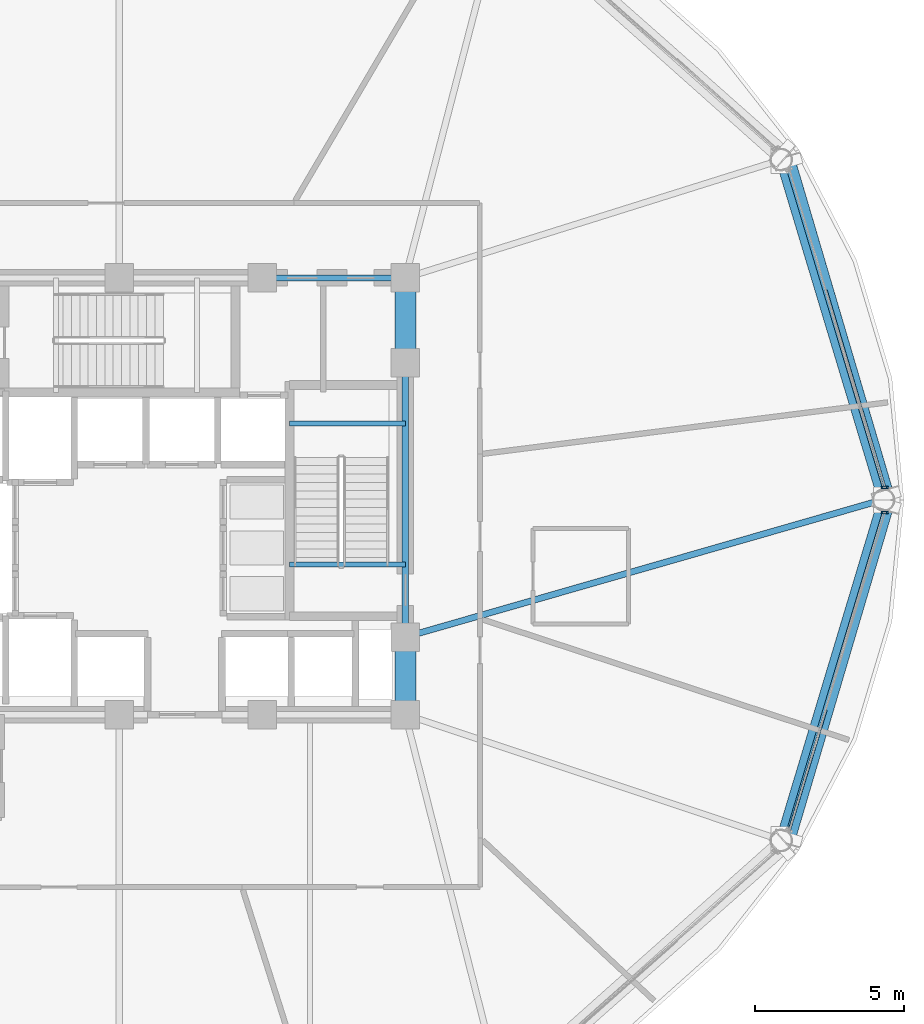
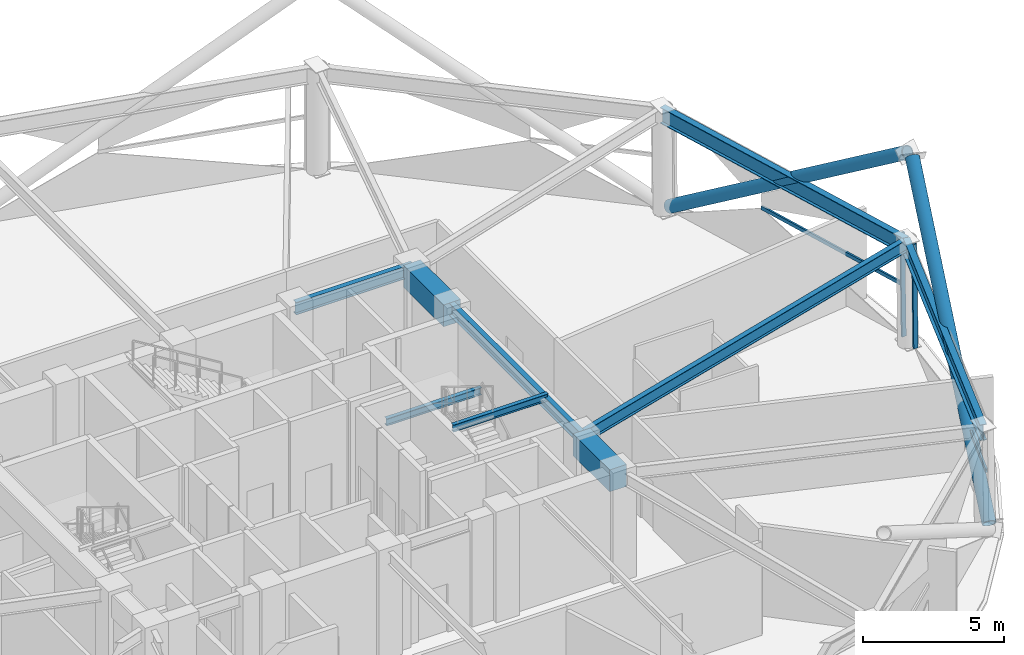
# One storey, part 5 of 17: 9 beams, 6 members, 2 elements without a shape of their own.
"""IFC4 building model written with IfcOpenShell, lengths in metres."""

from ifc_helpers import new_model, si_unit, direction, frame, origin, origin_2d, place, context, subcontext, project, spatial, rectangle, hollow_rectangle, hollow_circle, i_section, extrude, material, layer, layer_set, material_profile, profile_set, type_object, element, aggregate, save


model = new_model("IFC4")

# Units and contexts
model_context = context("Model", 3, precision=1e-05, world=origin(), true_north=direction((0.0, 1.0)))
body_context = subcontext(model_context, "Body", "Model", "MODEL_VIEW")
ifc_project = project(units=[si_unit("LENGTHUNIT", "METRE"), si_unit("AREAUNIT", "SQUARE_METRE"), si_unit("VOLUMEUNIT", "CUBIC_METRE"), si_unit("PLANEANGLEUNIT", "RADIAN"), si_unit("MASSUNIT", "GRAM", prefix="KILO")], contexts=[model_context])

# Site, building, storey
site_placement = place(None, origin())
site = spatial("IfcSite", under=ifc_project, at=site_placement, CompositionType="ELEMENT")
building_placement = place(site_placement, origin())
building = spatial("IfcBuilding", under=site, at=building_placement, Name="Vantalir Tower", CompositionType="ELEMENT")
storey_placement = place(building_placement, frame((0.0, 0.0, 96.14990234375)))
storey = spatial("IfcBuildingStorey", under=building, at=storey_placement, Name="L23", CompositionType="ELEMENT", Elevation=96.14990234375)

# Beams
ifc_material_1 = material(Name="Concrete C60/75", Category="concrete")
ifc_material_profile_1 = material_profile(ifc_material_1, rectangle(XDim=0.699951171875, YDim=0.949951171875, at=origin_2d()), Name="Concrete C60/75")
ifc_profile_set_1 = profile_set([ifc_material_profile_1], Name="Concrete C60/75")
beam_type_1 = type_object("IfcBeamType", Name="BM-CB-700x950", PredefinedType="USERDEFINED", material=ifc_profile_set_1)
beam_1_placement = place(storey_placement, frame((41.10009765625, 17.800048828125, 4.14501953125), z_axis=(0.0, 1.0, 0.0), x_axis=(-1.0, 0.0, 0.0)))
element("IfcBeam", 1, at=beam_1_placement, inside=storey, type_object=beam_type_1, Name="L23 Core Coupling Girder 05", ObjectType="GIRDER", PredefinedType="USERDEFINED", context=body_context, shape_type="SweptSolid", body=[
    extrude(rectangle(XDim=0.699951171875, YDim=0.949951171875, at=origin_2d()), origin(), (0.0, 0.0, 1.0), 2.599853515625),
])
beam_2_placement = place(storey_placement, frame((41.10009765625, 29.60009765625, 4.14501953125), z_axis=(0.0, 1.0, 0.0), x_axis=(-1.0, 0.0, 0.0)))
element("IfcBeam", 2, at=beam_2_placement, inside=storey, type_object=beam_type_1, Name="L23 Core Coupling Girder 07", ObjectType="GIRDER", PredefinedType="USERDEFINED", context=body_context, shape_type="SweptSolid", body=[
    extrude(rectangle(XDim=0.699951171875, YDim=0.949951171875, at=origin_2d()), origin(), (0.0, 0.0, 1.0), 2.849853515625),
])
ifc_material_2 = material(Name="Steel S355", Category="steel")
ifc_material_profile_2 = material_profile(ifc_material_2, i_section(OverallWidth=0.166015625, OverallDepth=0.306884765625, WebThickness=0.006591796875, FlangeThickness=0.01171875, at=origin_2d()), Name="Steel S355")
ifc_profile_set_2 = profile_set([ifc_material_profile_2], Name="Steel S355")
beam_type_2 = type_object("IfcBeamType", Name="BM-JS-305x165", PredefinedType="JOIST", material=ifc_profile_set_2)
for number, where, z_axis, x_axis, name in (
    (3, (37.2099609375, 22.8349609375, 4.647216796875), (1.0, 0.0, 0.0), (0.0, 1.0, 0.0), "L24 Stair ST2 Well Nosing Trimmer Beam"),
    (4, (37.2099609375, 27.56494140625, 2.046142578125), (1.0, 0.0, 0.0), (0.0, 1.0, 0.0), "L23 Stair ST2 Half-Landing Support Beam"),
):
    element("IfcBeam", number, at=place(storey_placement, frame(where, z_axis=z_axis, x_axis=x_axis)), inside=storey, type_object=beam_type_2, Name=name, PredefinedType="JOIST", context=body_context, shape_type="SweptSolid", body=[
        extrude(i_section(OverallWidth=0.166015625, OverallDepth=0.306884765625, WebThickness=0.006591796875, FlangeThickness=0.01171875, at=origin_2d()), origin(), (0.0, 0.0, 1.0), 3.89013671875),
    ])
ifc_material_profile_3 = material_profile(ifc_material_2, i_section(OverallWidth=0.2109375, OverallDepth=0.5390625, WebThickness=0.01171875, FlangeThickness=0.018798828125, at=origin_2d()), Name="Steel S355")
ifc_profile_set_3 = profile_set([ifc_material_profile_3], Name="Steel S355")
beam_type_3 = type_object("IfcBeamType", Name="BM-RB-533x210", PredefinedType="BEAM", material=ifc_profile_set_3)
beam_3_placement = place(storey_placement, frame((41.10009765625, 20.39990234375, 4.35009765625), z_axis=(0.0, 1.0, 0.0), x_axis=(-1.0, 0.0, 0.0)))
element("IfcBeam", 5, at=beam_3_placement, inside=storey, type_object=beam_type_3, Name="L23 Core Coupling Girder 06", PredefinedType="BEAM", context=body_context, shape_type="SweptSolid", body=[
    extrude(i_section(OverallWidth=0.2109375, OverallDepth=0.5390625, WebThickness=0.01171875, FlangeThickness=0.018798828125, at=origin_2d()), origin(), (0.0, 0.0, 1.0), 9.2001953125),
])
beam_4_placement = place(storey_placement, frame((41.10009765625, 32.449951171875, 4.35009765625), z_axis=(-1.0, 0.0, 0.0), x_axis=(0.0, -1.0, 0.0)))
element("IfcBeam", 6, at=beam_4_placement, inside=storey, type_object=beam_type_3, Name="L23 Core Coupling Girder 08", PredefinedType="BEAM", context=body_context, shape_type="SweptSolid", body=[
    extrude(i_section(OverallWidth=0.2109375, OverallDepth=0.5390625, WebThickness=0.01171875, FlangeThickness=0.018798828125, at=origin_2d()), origin(), (0.0, 0.0, 1.0), 4.800048828125),
])
beam_5_placement = place(storey_placement, frame((57.087890625, 25.0, 4.35009765625), z_axis=(-0.961011705277, -0.276507689442, 0.0), x_axis=(0.276507689442, -0.961011705277, 0.0)))
element("IfcBeam", 7, at=beam_5_placement, inside=storey, type_object=beam_type_3, Name="L23 Radial Floor Beam 01", PredefinedType="BEAM", context=body_context, shape_type="SweptSolid", body=[
    extrude(i_section(OverallWidth=0.2109375, OverallDepth=0.5390625, WebThickness=0.01171875, FlangeThickness=0.018798828125, at=origin_2d()), origin(), (0.0, 0.0, 1.0), 16.636474609375),
])
ifc_material_3 = material(Name="Steel S460", Category="steel")
ifc_material_profile_4 = material_profile(ifc_material_3, i_section(OverallWidth=0.256103515625, OverallDepth=0.693115234375, WebThickness=0.014404296875, FlangeThickness=0.023681640625, at=origin_2d()), Name="Steel S460")
ifc_profile_set_4 = profile_set([ifc_material_profile_4], Name="Steel S460")
beam_type_4 = type_object("IfcBeamType", Name="BM-RG-686x254", PredefinedType="USERDEFINED", material=ifc_profile_set_4)
for number, where, z_axis, x_axis, name in (
    (8, (57.087890625, 25.0, 4.273193359375), (-0.288100770592, 0.95760009711, 0.0), (-0.95760009711, -0.288100770592, 0.0), "L23 Circumferential Ring Girder 01"),
    (9, (53.659912109375, 13.60595703125, 4.273193359375), (0.288100770592, 0.95760009711, 0.0), (-0.95760009711, 0.288100770592, 0.0), "L23 Circumferential Ring Girder 12"),
):
    element("IfcBeam", number, at=place(storey_placement, frame(where, z_axis=z_axis, x_axis=x_axis)), inside=storey, type_object=beam_type_4, Name=name, ObjectType="GIRDER", PredefinedType="USERDEFINED", context=body_context, shape_type="SweptSolid", body=[
        extrude(i_section(OverallWidth=0.256103515625, OverallDepth=0.693115234375, WebThickness=0.014404296875, FlangeThickness=0.023681640625, at=origin_2d()), origin(), (0.0, 0.0, 1.0), 11.8984375),
    ])

# Curtain wall, member
ifc_material_4 = material(Name="Champagne-silver PVDF aluminium and double-silver Low-E glass", Category="aluminium")
ifc_layer = layer(ifc_material_4, 0.22998046875)
ifc_layer_set = layer_set([ifc_layer], Name="Champagne-silver PVDF aluminium and double-silver Low-E glass")
curtain_wall_type = type_object("IfcCurtainWallType", Name="CW-SKYLOBBY", PredefinedType="USERDEFINED", material=ifc_layer_set)
curtain_wall_1_placement = place(storey_placement, origin())
curtain_wall_1 = element("IfcCurtainWall", 10, at=curtain_wall_1_placement, inside=storey, type_object=curtain_wall_type, Name="L23 Quilted Pyramid-Diamond Curtain Wall S01", ObjectType="UNITISED CURTAIN WALL", PredefinedType="USERDEFINED")
ifc_material_5 = material(Name="Champagne-silver PVDF aluminium 6063-T6", Category="aluminium")
ifc_material_profile_5 = material_profile(ifc_material_5, hollow_rectangle(XDim=0.074951171875, YDim=0.179931640625, WallThickness=0.00390625, at=origin_2d()), Name="Champagne-silver PVDF aluminium 6063-T6")
ifc_profile_set_5 = profile_set([ifc_material_profile_5], Name="Champagne-silver PVDF aluminium 6063-T6")
member_type_1 = type_object("IfcMemberType", Name="CWM-180x75", PredefinedType="MULLION", material=ifc_profile_set_5)
member_1_placement = place(storey_placement, frame((57.212890625, 25.4208984375, 0.045166015625), z_axis=(-0.013687750195, 0.0, 0.999906318359), x_axis=(0.0, -1.0, 0.0)))
member_1 = element("IfcMember", 11, at=member_1_placement, type_object=member_type_1, Name="CW-L23-S01 Mullion 1", PredefinedType="MULLION", context=body_context, shape_type="SweptSolid", body=[
    extrude(hollow_rectangle(XDim=0.074951171875, YDim=0.179931640625, WallThickness=0.00390625, at=origin_2d()), origin(), (0.0, 0.0, 1.0), 4.530517578125),
])

curtain_wall_2_placement = place(storey_placement, origin())
curtain_wall_2 = element("IfcCurtainWall", 12, at=curtain_wall_2_placement, inside=storey, type_object=curtain_wall_type, Name="L23 Quilted Pyramid-Diamond Curtain Wall S12", ObjectType="UNITISED CURTAIN WALL", PredefinedType="USERDEFINED")
member_2_placement = place(storey_placement, frame((57.212890625, 24.5791015625, 0.045166015625), z_axis=(-0.013687750195, 0.0, 0.999906318359), x_axis=(0.0, -1.0, 0.0)))
member_2 = element("IfcMember", 13, at=member_2_placement, type_object=member_type_1, Name="CW-L23-S12 Mullion 2", PredefinedType="MULLION", context=body_context, shape_type="SweptSolid", body=[
    extrude(hollow_rectangle(XDim=0.074951171875, YDim=0.179931640625, WallThickness=0.00390625, at=origin_2d()), origin(), (0.0, 0.0, 1.0), 4.530517578125),
])

# Member
ifc_material_profile_6 = material_profile(ifc_material_5, hollow_rectangle(XDim=0.074951171875, YDim=0.159912109375, WallThickness=0.00390625, at=origin_2d()), Name="Champagne-silver PVDF aluminium 6063-T6")
ifc_profile_set_6 = profile_set([ifc_material_profile_6], Name="Champagne-silver PVDF aluminium 6063-T6")
member_type_2 = type_object("IfcMemberType", Name="CWT-160x75", PredefinedType="USERDEFINED", material=ifc_profile_set_6)
member_3_placement = place(storey_placement, frame((57.181884765625, 25.4208984375, 2.31005859375), z_axis=(-0.284555619217, 0.958659532666, 0.0), x_axis=(-0.958659532666, -0.284555619217, 0.0)))
member_3 = element("IfcMember", 14, at=member_3_placement, type_object=member_type_2, Name="CW-L23-S01 Pyramid Fold Ridge Transom", ObjectType="TRANSOM", PredefinedType="USERDEFINED", context=body_context, shape_type="SweptSolid", body=[
    extrude(hollow_rectangle(XDim=0.074951171875, YDim=0.159912109375, WallThickness=0.00390625, at=origin_2d()), origin(), (0.0, 0.0, 1.0), 6.901611328125),
])

aggregate(curtain_wall_1, [member_1, member_3])

member_4_placement = place(storey_placement, frame((53.97802734375, 13.91796875, 2.31005859375), z_axis=(0.29315689543, 0.956064346507, 0.0), x_axis=(-0.956064346507, 0.29315689543, 0.0)))
member_4 = element("IfcMember", 15, at=member_4_placement, type_object=member_type_2, Name="CW-L23-S12 Pyramid Fold Ridge Transom", ObjectType="TRANSOM", PredefinedType="USERDEFINED", context=body_context, shape_type="SweptSolid", body=[
    extrude(hollow_rectangle(XDim=0.074951171875, YDim=0.159912109375, WallThickness=0.00390625, at=origin_2d()), origin(), (0.0, 0.0, 1.0), 4.229736328125),
])

aggregate(curtain_wall_2, [member_2, member_4])

# Members
ifc_material_profile_7 = material_profile(ifc_material_3, hollow_circle(Radius=0.260009765625, WallThickness=0.0380859375, at=origin_2d()), Name="Steel S460")
ifc_profile_set_7 = profile_set([ifc_material_profile_7], Name="Steel S460")
member_type_3 = type_object("IfcMemberType", Name="MEM-DB-520x38", PredefinedType="BRACE", material=ifc_profile_set_7)
member_5_placement = place(storey_placement, frame((53.928955078125, 36.342041015625, 0.2041015625), z_axis=(0.233799896099, -0.791690165605, 0.564414998267), x_axis=(0.959053436683, 0.283225185295, 0.0)))
element("IfcMember", 16, at=member_5_placement, inside=storey, type_object=member_type_3, Name="L23 Perimeter S460 Diagrid Brace R04R", PredefinedType="BRACE", context=body_context, shape_type="SweptSolid", body=[
    extrude(hollow_circle(Radius=0.260009765625, WallThickness=0.0380859375, at=origin_2d()), origin(), (0.0, 0.0, 1.0), 14.1064453125),
])
member_6_placement = place(storey_placement, frame((53.928955078125, 13.656982421875, 0.2041015625), z_axis=(0.233787082712, 0.791716001177, 0.564384065541), x_axis=(-0.959060163042, 0.283202407592, 0.0)))
element("IfcMember", 17, at=member_6_placement, inside=storey, type_object=member_type_3, Name="L23 Perimeter S460 Diagrid Brace R34L", PredefinedType="BRACE", context=body_context, shape_type="SweptSolid", body=[
    extrude(hollow_circle(Radius=0.260009765625, WallThickness=0.0380859375, at=origin_2d()), origin(), (0.0, 0.0, 1.0), 14.107177734375),
])

save(model, "model.ifc")
